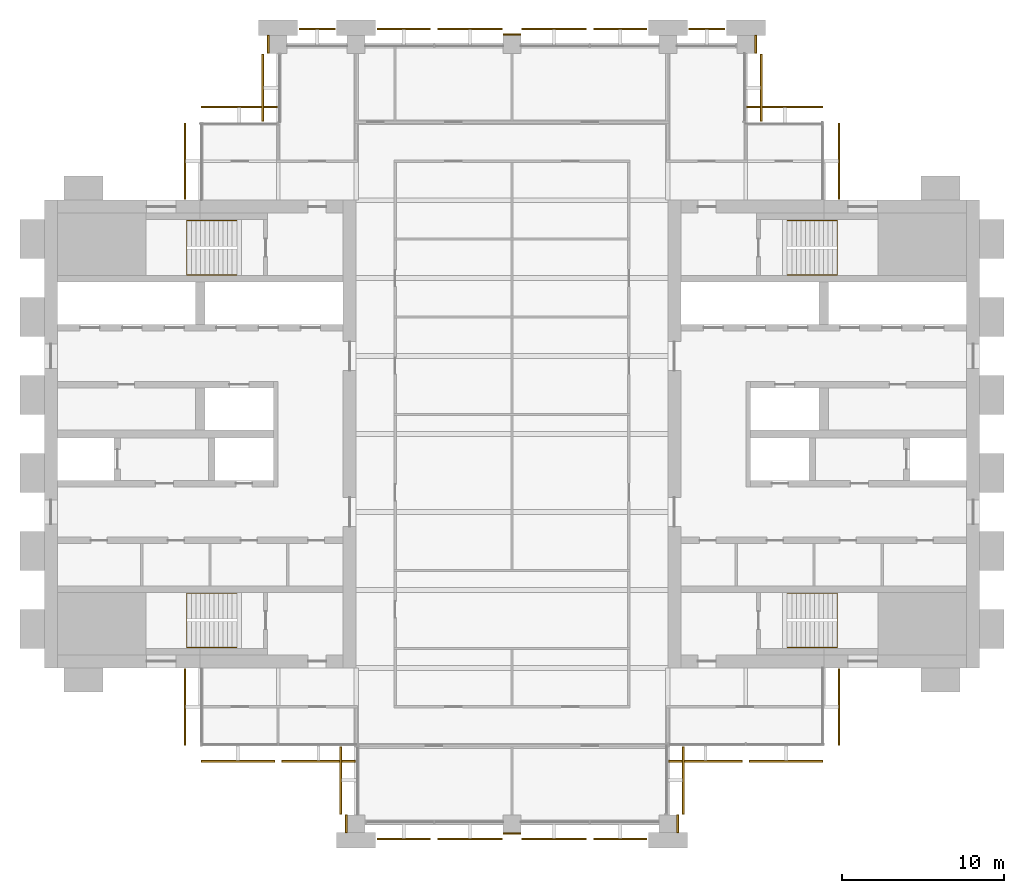
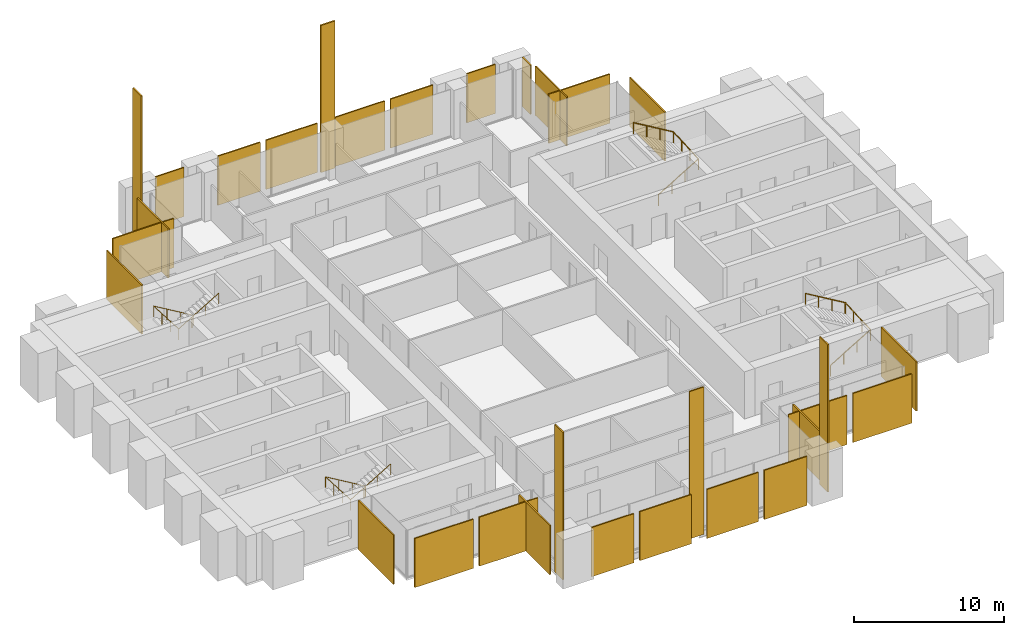
# One storey, part 13 of 13: 30 coverings, 4 railings.
"""IFC4 building model written with IfcOpenShell, lengths in metres."""

from ifc_helpers import new_model, si_unit, direction, frame, origin, origin_2d, place, context, subcontext, project, spatial, polyline, rectangle, circle, outline, extrude, material, layer, layer_set, type_object, element, save


model = new_model("IFC4")

# Units and contexts
model_context = context("Model", 3, precision=1e-05, world=origin(), true_north=direction((0.0, 1.0)))
body_context = subcontext(model_context, "Body", "Model", "MODEL_VIEW")
ifc_project = project(units=[si_unit("LENGTHUNIT", "METRE"), si_unit("AREAUNIT", "SQUARE_METRE"), si_unit("VOLUMEUNIT", "CUBIC_METRE"), si_unit("PLANEANGLEUNIT", "RADIAN"), si_unit("MASSUNIT", "GRAM", prefix="KILO")], contexts=[model_context])

# Site, building, storey
site_placement = place(None, origin())
site = spatial("IfcSite", under=ifc_project, at=site_placement, CompositionType="ELEMENT")
building_placement = place(site_placement, origin())
building = spatial("IfcBuilding", under=site, at=building_placement, Name="Baori Bourse Tower", CompositionType="ELEMENT")
storey_placement = place(building_placement, frame((0.0, 0.0, 201.199951171875)))
storey = spatial("IfcBuildingStorey", under=building, at=storey_placement, Name="L43", CompositionType="ELEMENT", Elevation=201.199951171875)

# Railings
ifc_material_1 = material(Name="Powder-coated steel balustrade", Category="steel")
railing_type = type_object("IfcRailingType", Name="Core stair handrail", PredefinedType="HANDRAIL", material=ifc_material_1)
railing_1_placement = place(storey_placement, frame((11.85009765625, 14.199951171875, 0.166748046875)))
element("IfcRailing", 1, at=railing_1_placement, inside=storey, type_object=railing_type, Name="L43 ST1 stair handrail 1", PredefinedType="HANDRAIL", context=body_context, shape_type="SweptSolid", body=[
    extrude(circle(Radius=0.02392578125, at=origin_2d()), frame((0.0, 0.0, 0.8759765625), z_axis=(-0.859308565015, 0.0, 0.511457515432), x_axis=(0.0, -1.0, 0.0)), (0.0, 0.0, 1.0), 3.58447265625),
    extrude(circle(Radius=0.02392578125, at=origin_2d()), frame((-3.080078125, 0.0, 2.708984375), z_axis=(0.0, -0.998763387249, 0.04971615724), x_axis=(1.0, 0.0, 0.0)), (0.0, 0.0, 1.0), 3.35400390625),
    extrude(circle(Radius=0.02392578125, at=origin_2d()), frame((-3.080078125, -3.349853515625, 2.8759765625), z_axis=(0.859308565015, 0.0, 0.511457515432), x_axis=(0.0, 1.0, 0.0)), (0.0, 0.0, 1.0), 3.58447265625),
    extrude(circle(Radius=0.02099609375, at=origin_2d()), origin(), (0.0, 0.0, 1.0), 0.851806640625),
    extrude(circle(Radius=0.02099609375, at=origin_2d()), frame((-1.026611328125, 0.0, 0.611083984375)), (0.0, 0.0, 1.0), 0.851806640625),
    extrude(circle(Radius=0.02099609375, at=origin_2d()), frame((-2.053466796875, 0.0, 1.22216796875)), (0.0, 0.0, 1.0), 0.851806640625),
    extrude(circle(Radius=0.02099609375, at=origin_2d()), frame((-3.080078125, 0.0, 1.833251953125)), (0.0, 0.0, 1.0), 0.851806640625),
    extrude(circle(Radius=0.02099609375, at=origin_2d()), frame((-3.080078125, -1.11669921875, 1.888916015625)), (0.0, 0.0, 1.0), 0.851806640625),
    extrude(circle(Radius=0.02099609375, at=origin_2d()), frame((-3.080078125, -2.233154296875, 1.9443359375)), (0.0, 0.0, 1.0), 0.851806640625),
    extrude(circle(Radius=0.02099609375, at=origin_2d()), frame((-3.080078125, -3.349853515625, 2.0)), (0.0, 0.0, 1.0), 0.851806640625),
    extrude(circle(Radius=0.02099609375, at=origin_2d()), frame((-2.053466796875, -3.349853515625, 2.611083984375)), (0.0, 0.0, 1.0), 0.851806640625),
    extrude(circle(Radius=0.02099609375, at=origin_2d()), frame((-1.026611328125, -3.349853515625, 3.22216796875)), (0.0, 0.0, 1.0), 0.851806640625),
    extrude(circle(Radius=0.02099609375, at=origin_2d()), frame((0.0, -3.349853515625, 3.833251953125)), (0.0, 0.0, 1.0), 0.851806640625),
])
railing_2_placement = place(storey_placement, frame((11.85009765625, 37.14990234375, 0.166748046875)))
element("IfcRailing", 2, at=railing_2_placement, inside=storey, type_object=railing_type, Name="L43 ST2 stair handrail 1", PredefinedType="HANDRAIL", context=body_context, shape_type="SweptSolid", body=[
    extrude(circle(Radius=0.02392578125, at=origin_2d()), frame((0.0, 0.0, 0.8759765625), z_axis=(-0.859308565015, 0.0, 0.511457515432), x_axis=(0.0, -1.0, 0.0)), (0.0, 0.0, 1.0), 3.58447265625),
    extrude(circle(Radius=0.02392578125, at=origin_2d()), frame((-3.080078125, 0.0, 2.708984375), z_axis=(0.0, -0.998763387249, 0.04971615724), x_axis=(1.0, 0.0, 0.0)), (0.0, 0.0, 1.0), 3.35400390625),
    extrude(circle(Radius=0.02392578125, at=origin_2d()), frame((-3.080078125, -3.349853515625, 2.8759765625), z_axis=(0.859308565015, 0.0, 0.511457515432), x_axis=(0.0, 1.0, 0.0)), (0.0, 0.0, 1.0), 3.58447265625),
    extrude(circle(Radius=0.02099609375, at=origin_2d()), origin(), (0.0, 0.0, 1.0), 0.851806640625),
    extrude(circle(Radius=0.02099609375, at=origin_2d()), frame((-1.026611328125, 0.0, 0.611083984375)), (0.0, 0.0, 1.0), 0.851806640625),
    extrude(circle(Radius=0.02099609375, at=origin_2d()), frame((-2.053466796875, 0.0, 1.22216796875)), (0.0, 0.0, 1.0), 0.851806640625),
    extrude(circle(Radius=0.02099609375, at=origin_2d()), frame((-3.080078125, 0.0, 1.833251953125)), (0.0, 0.0, 1.0), 0.851806640625),
    extrude(circle(Radius=0.02099609375, at=origin_2d()), frame((-3.080078125, -1.11669921875, 1.888916015625)), (0.0, 0.0, 1.0), 0.851806640625),
    extrude(circle(Radius=0.02099609375, at=origin_2d()), frame((-3.080078125, -2.233154296875, 1.9443359375)), (0.0, 0.0, 1.0), 0.851806640625),
    extrude(circle(Radius=0.02099609375, at=origin_2d()), frame((-3.080078125, -3.349853515625, 2.0)), (0.0, 0.0, 1.0), 0.851806640625),
    extrude(circle(Radius=0.02099609375, at=origin_2d()), frame((-2.053466796875, -3.349853515625, 2.611083984375)), (0.0, 0.0, 1.0), 0.851806640625),
    extrude(circle(Radius=0.02099609375, at=origin_2d()), frame((-1.026611328125, -3.349853515625, 3.22216796875)), (0.0, 0.0, 1.0), 0.851806640625),
    extrude(circle(Radius=0.02099609375, at=origin_2d()), frame((0.0, -3.349853515625, 3.833251953125)), (0.0, 0.0, 1.0), 0.851806640625),
])
railing_3_placement = place(storey_placement, frame((45.75, 10.85009765625, 0.166748046875)))
element("IfcRailing", 3, at=railing_3_placement, inside=storey, type_object=railing_type, Name="L43 ST3 stair handrail 1", PredefinedType="HANDRAIL", context=body_context, shape_type="SweptSolid", body=[
    extrude(circle(Radius=0.02392578125, at=origin_2d()), frame((0.0, 0.0, 0.8759765625), z_axis=(0.859308565015, 0.0, 0.511457515432), x_axis=(0.0, 1.0, 0.0)), (0.0, 0.0, 1.0), 3.58447265625),
    extrude(circle(Radius=0.02392578125, at=origin_2d()), frame((3.080078125, 0.0, 2.708984375), z_axis=(0.0, 0.998763387249, 0.04971615724), x_axis=(-1.0, 0.0, 0.0)), (0.0, 0.0, 1.0), 3.35400390625),
    extrude(circle(Radius=0.02392578125, at=origin_2d()), frame((3.080078125, 3.349853515625, 2.8759765625), z_axis=(-0.859308565015, 0.0, 0.511457515432), x_axis=(0.0, -1.0, 0.0)), (0.0, 0.0, 1.0), 3.58447265625),
    extrude(circle(Radius=0.02099609375, at=origin_2d()), origin(), (0.0, 0.0, 1.0), 0.851806640625),
    extrude(circle(Radius=0.02099609375, at=origin_2d()), frame((1.026611328125, 0.0, 0.611083984375)), (0.0, 0.0, 1.0), 0.851806640625),
    extrude(circle(Radius=0.02099609375, at=origin_2d()), frame((2.053466796875, 0.0, 1.22216796875)), (0.0, 0.0, 1.0), 0.851806640625),
    extrude(circle(Radius=0.02099609375, at=origin_2d()), frame((3.080078125, 0.0, 1.833251953125)), (0.0, 0.0, 1.0), 0.851806640625),
    extrude(circle(Radius=0.02099609375, at=origin_2d()), frame((3.080078125, 1.11669921875, 1.888916015625)), (0.0, 0.0, 1.0), 0.851806640625),
    extrude(circle(Radius=0.02099609375, at=origin_2d()), frame((3.080078125, 2.233154296875, 1.9443359375)), (0.0, 0.0, 1.0), 0.851806640625),
    extrude(circle(Radius=0.02099609375, at=origin_2d()), frame((3.080078125, 3.349853515625, 2.0)), (0.0, 0.0, 1.0), 0.851806640625),
    extrude(circle(Radius=0.02099609375, at=origin_2d()), frame((2.053466796875, 3.349853515625, 2.611083984375)), (0.0, 0.0, 1.0), 0.851806640625),
    extrude(circle(Radius=0.02099609375, at=origin_2d()), frame((1.026611328125, 3.349853515625, 3.22216796875)), (0.0, 0.0, 1.0), 0.851806640625),
    extrude(circle(Radius=0.02099609375, at=origin_2d()), frame((0.0, 3.349853515625, 3.833251953125)), (0.0, 0.0, 1.0), 0.851806640625),
])
railing_4_placement = place(storey_placement, frame((45.75, 33.800048828125, 0.166748046875)))
element("IfcRailing", 4, at=railing_4_placement, inside=storey, type_object=railing_type, Name="L43 ST4 stair handrail 1", PredefinedType="HANDRAIL", context=body_context, shape_type="SweptSolid", body=[
    extrude(circle(Radius=0.02392578125, at=origin_2d()), frame((0.0, 0.0, 0.8759765625), z_axis=(0.859308565015, 0.0, 0.511457515432), x_axis=(0.0, 1.0, 0.0)), (0.0, 0.0, 1.0), 3.58447265625),
    extrude(circle(Radius=0.02392578125, at=origin_2d()), frame((3.080078125, 0.0, 2.708984375), z_axis=(0.0, 0.998763387249, 0.04971615724), x_axis=(-1.0, 0.0, 0.0)), (0.0, 0.0, 1.0), 3.35400390625),
    extrude(circle(Radius=0.02392578125, at=origin_2d()), frame((3.080078125, 3.349853515625, 2.8759765625), z_axis=(-0.859308565015, 0.0, 0.511457515432), x_axis=(0.0, -1.0, 0.0)), (0.0, 0.0, 1.0), 3.58447265625),
    extrude(circle(Radius=0.02099609375, at=origin_2d()), origin(), (0.0, 0.0, 1.0), 0.851806640625),
    extrude(circle(Radius=0.02099609375, at=origin_2d()), frame((1.026611328125, 0.0, 0.611083984375)), (0.0, 0.0, 1.0), 0.851806640625),
    extrude(circle(Radius=0.02099609375, at=origin_2d()), frame((2.053466796875, 0.0, 1.22216796875)), (0.0, 0.0, 1.0), 0.851806640625),
    extrude(circle(Radius=0.02099609375, at=origin_2d()), frame((3.080078125, 0.0, 1.833251953125)), (0.0, 0.0, 1.0), 0.851806640625),
    extrude(circle(Radius=0.02099609375, at=origin_2d()), frame((3.080078125, 1.11669921875, 1.888916015625)), (0.0, 0.0, 1.0), 0.851806640625),
    extrude(circle(Radius=0.02099609375, at=origin_2d()), frame((3.080078125, 2.233154296875, 1.9443359375)), (0.0, 0.0, 1.0), 0.851806640625),
    extrude(circle(Radius=0.02099609375, at=origin_2d()), frame((3.080078125, 3.349853515625, 2.0)), (0.0, 0.0, 1.0), 0.851806640625),
    extrude(circle(Radius=0.02099609375, at=origin_2d()), frame((2.053466796875, 3.349853515625, 2.611083984375)), (0.0, 0.0, 1.0), 0.851806640625),
    extrude(circle(Radius=0.02099609375, at=origin_2d()), frame((1.026611328125, 3.349853515625, 3.22216796875)), (0.0, 0.0, 1.0), 0.851806640625),
    extrude(circle(Radius=0.02099609375, at=origin_2d()), frame((0.0, 3.349853515625, 3.833251953125)), (0.0, 0.0, 1.0), 0.851806640625),
])

# Coverings
ifc_material_2 = material(Name="Pale anodised aluminium", Category="aluminium")
ifc_layer_1 = layer(ifc_material_2, 0.10009765625)
ifc_layer_set_1 = layer_set([ifc_layer_1], Name="OS3 Outer skin screen panel")
covering_type_1 = type_object("IfcCoveringType", Name="OS3 Outer skin screen panel", PredefinedType="CLADDING", material=ifc_layer_set_1)
covering_1_placement = place(storey_placement, frame((0.0, 0.0, -0.159912109375)))
element("IfcCovering", 5, at=covering_1_placement, inside=storey, type_object=covering_type_1, Name="Outer skin screen L43 1", PredefinedType="CLADDING", context=body_context, shape_type="SweptSolid", body=[
    extrude(outline(polyline([(48.89990234375, 43.14990234375), (48.89990234375, 38.449951171875), (49.0, 38.449951171875), (49.0, 43.14990234375), (48.89990234375, 43.14990234375)])), origin(), (0.0, 0.0, 1.0), 4.0),
])
covering_2_placement = place(storey_placement, frame((0.0, 0.0, -0.159912109375)))
element("IfcCovering", 6, at=covering_2_placement, inside=storey, type_object=covering_type_1, Name="Outer skin screen L43 2", PredefinedType="CLADDING", context=body_context, shape_type="SweptSolid", body=[
    extrude(outline(polyline([(43.25, 44.10009765625), (47.949951171875, 44.10009765625), (47.949951171875, 44.199951171875), (43.25, 44.199951171875), (43.25, 44.10009765625)])), origin(), (0.0, 0.0, 1.0), 4.0),
])
covering_3_placement = place(storey_placement, frame((0.0, 0.0, -0.159912109375)))
element("IfcCovering", 7, at=covering_3_placement, inside=storey, type_object=covering_type_1, Name="Outer skin screen L43 3", PredefinedType="CLADDING", context=body_context, shape_type="SweptSolid", body=[
    extrude(outline(polyline([(44.10009765625, 47.39990234375), (44.10009765625, 43.25), (44.199951171875, 43.25), (44.199951171875, 47.39990234375), (44.10009765625, 47.39990234375)])), origin(), (0.0, 0.0, 1.0), 4.0),
])
covering_4_placement = place(storey_placement, frame((0.0, 0.0, -0.159912109375)))
element("IfcCovering", 8, at=covering_4_placement, inside=storey, type_object=covering_type_1, Name="Outer skin screen L43 4", PredefinedType="CLADDING", context=body_context, shape_type="SweptSolid", body=[
    extrude(outline(polyline([(39.699951171875, 48.89990234375), (41.89990234375, 48.89990234375), (41.89990234375, 49.0), (39.699951171875, 49.0), (39.699951171875, 48.89990234375)])), origin(), (0.0, 0.0, 1.0), 4.0),
])
covering_5_placement = place(storey_placement, frame((0.0, 0.0, -0.159912109375)))
element("IfcCovering", 9, at=covering_5_placement, inside=storey, type_object=covering_type_1, Name="Outer skin screen L43 5", PredefinedType="CLADDING", context=body_context, shape_type="SweptSolid", body=[
    extrude(outline(polyline([(33.824951171875, 48.89990234375), (37.10009765625, 48.89990234375), (37.10009765625, 49.0), (33.824951171875, 49.0), (33.824951171875, 48.89990234375)])), origin(), (0.0, 0.0, 1.0), 4.0),
])
covering_6_placement = place(storey_placement, frame((0.0, 0.0, -0.159912109375)))
element("IfcCovering", 10, at=covering_6_placement, inside=storey, type_object=covering_type_1, Name="Outer skin screen L43 6", PredefinedType="CLADDING", context=body_context, shape_type="SweptSolid", body=[
    extrude(outline(polyline([(29.39990234375, 48.89990234375), (33.375, 48.89990234375), (33.375, 49.0), (29.39990234375, 49.0), (29.39990234375, 48.89990234375)])), origin(), (0.0, 0.0, 1.0), 4.0),
])
covering_7_placement = place(storey_placement, frame((0.0, 0.0, -0.159912109375)))
element("IfcCovering", 11, at=covering_7_placement, inside=storey, type_object=covering_type_1, Name="Outer skin screen L43 7", PredefinedType="CLADDING", context=body_context, shape_type="SweptSolid", body=[
    extrude(outline(polyline([(24.22509765625, 48.89990234375), (28.199951171875, 48.89990234375), (28.199951171875, 49.0), (24.22509765625, 49.0), (24.22509765625, 48.89990234375)])), origin(), (0.0, 0.0, 1.0), 4.0),
])
covering_8_placement = place(storey_placement, frame((0.0, 0.0, -0.159912109375)))
element("IfcCovering", 12, at=covering_8_placement, inside=storey, type_object=covering_type_1, Name="Outer skin screen L43 8", PredefinedType="CLADDING", context=body_context, shape_type="SweptSolid", body=[
    extrude(outline(polyline([(20.5, 48.89990234375), (23.77490234375, 48.89990234375), (23.77490234375, 49.0), (20.5, 49.0), (20.5, 48.89990234375)])), origin(), (0.0, 0.0, 1.0), 4.0),
])
covering_9_placement = place(storey_placement, frame((0.0, 0.0, -0.159912109375)))
element("IfcCovering", 13, at=covering_9_placement, inside=storey, type_object=covering_type_1, Name="Outer skin screen L43 9", PredefinedType="CLADDING", context=body_context, shape_type="SweptSolid", body=[
    extrude(outline(polyline([(15.699951171875, 48.89990234375), (17.89990234375, 48.89990234375), (17.89990234375, 49.0), (15.699951171875, 49.0), (15.699951171875, 48.89990234375)])), origin(), (0.0, 0.0, 1.0), 4.0),
])
covering_10_placement = place(storey_placement, frame((0.0, 0.0, -0.159912109375)))
element("IfcCovering", 14, at=covering_10_placement, inside=storey, type_object=covering_type_1, Name="Outer skin screen L43 10", PredefinedType="CLADDING", context=body_context, shape_type="SweptSolid", body=[
    extrude(outline(polyline([(13.5, 43.25), (13.5, 47.39990234375), (13.39990234375, 47.39990234375), (13.39990234375, 43.25), (13.5, 43.25)])), origin(), (0.0, 0.0, 1.0), 4.0),
])
covering_11_placement = place(storey_placement, frame((0.0, 0.0, -0.159912109375)))
element("IfcCovering", 15, at=covering_11_placement, inside=storey, type_object=covering_type_1, Name="Outer skin screen L43 11", PredefinedType="CLADDING", context=body_context, shape_type="SweptSolid", body=[
    extrude(outline(polyline([(9.64990234375, 44.10009765625), (14.35009765625, 44.10009765625), (14.35009765625, 44.199951171875), (9.64990234375, 44.199951171875), (9.64990234375, 44.10009765625)])), origin(), (0.0, 0.0, 1.0), 4.0),
])
covering_12_placement = place(storey_placement, frame((0.0, 0.0, -0.159912109375)))
element("IfcCovering", 16, at=covering_12_placement, inside=storey, type_object=covering_type_1, Name="Outer skin screen L43 12", PredefinedType="CLADDING", context=body_context, shape_type="SweptSolid", body=[
    extrude(outline(polyline([(8.699951171875, 38.449951171875), (8.699951171875, 43.14990234375), (8.60009765625, 43.14990234375), (8.60009765625, 38.449951171875), (8.699951171875, 38.449951171875)])), origin(), (0.0, 0.0, 1.0), 4.0),
])
covering_13_placement = place(storey_placement, frame((0.0, 0.0, -0.159912109375)))
element("IfcCovering", 17, at=covering_13_placement, inside=storey, type_object=covering_type_1, Name="Outer skin screen L43 13", PredefinedType="CLADDING", context=body_context, shape_type="SweptSolid", body=[
    extrude(outline(polyline([(8.699951171875, 4.85009765625), (8.699951171875, 9.550048828125), (8.60009765625, 9.550048828125), (8.60009765625, 4.85009765625), (8.699951171875, 4.85009765625)])), origin(), (0.0, 0.0, 1.0), 4.0),
])
covering_14_placement = place(storey_placement, frame((0.0, 0.0, -0.159912109375)))
element("IfcCovering", 18, at=covering_14_placement, inside=storey, type_object=covering_type_1, Name="Outer skin screen L43 14", PredefinedType="CLADDING", context=body_context, shape_type="SweptSolid", body=[
    extrude(outline(polyline([(14.175048828125, 3.89990234375), (9.64990234375, 3.89990234375), (9.64990234375, 3.800048828125), (14.175048828125, 3.800048828125), (14.175048828125, 3.89990234375)])), origin(), (0.0, 0.0, 1.0), 4.0),
])
covering_15_placement = place(storey_placement, frame((0.0, 0.0, -0.159912109375)))
element("IfcCovering", 19, at=covering_15_placement, inside=storey, type_object=covering_type_1, Name="Outer skin screen L43 15", PredefinedType="CLADDING", context=body_context, shape_type="SweptSolid", body=[
    extrude(outline(polyline([(19.14990234375, 3.89990234375), (14.625, 3.89990234375), (14.625, 3.800048828125), (19.14990234375, 3.800048828125), (19.14990234375, 3.89990234375)])), origin(), (0.0, 0.0, 1.0), 4.0),
])
covering_16_placement = place(storey_placement, frame((0.0, 0.0, -0.159912109375)))
element("IfcCovering", 20, at=covering_16_placement, inside=storey, type_object=covering_type_1, Name="Outer skin screen L43 16", PredefinedType="CLADDING", context=body_context, shape_type="SweptSolid", body=[
    extrude(outline(polyline([(18.300048828125, 0.60009765625), (18.300048828125, 4.75), (18.199951171875, 4.75), (18.199951171875, 0.60009765625), (18.300048828125, 0.60009765625)])), origin(), (0.0, 0.0, 1.0), 4.0),
])
covering_17_placement = place(storey_placement, frame((0.0, 0.0, -0.159912109375)))
element("IfcCovering", 21, at=covering_17_placement, inside=storey, type_object=covering_type_1, Name="Outer skin screen L43 17", PredefinedType="CLADDING", context=body_context, shape_type="SweptSolid", body=[
    extrude(outline(polyline([(23.77490234375, -0.89990234375), (20.5, -0.89990234375), (20.5, -1.0), (23.77490234375, -1.0), (23.77490234375, -0.89990234375)])), origin(), (0.0, 0.0, 1.0), 4.0),
])
covering_18_placement = place(storey_placement, frame((0.0, 0.0, -0.159912109375)))
element("IfcCovering", 22, at=covering_18_placement, inside=storey, type_object=covering_type_1, Name="Outer skin screen L43 18", PredefinedType="CLADDING", context=body_context, shape_type="SweptSolid", body=[
    extrude(outline(polyline([(28.199951171875, -0.89990234375), (24.22509765625, -0.89990234375), (24.22509765625, -1.0), (28.199951171875, -1.0), (28.199951171875, -0.89990234375)])), origin(), (0.0, 0.0, 1.0), 4.0),
])
covering_19_placement = place(storey_placement, frame((0.0, 0.0, -0.159912109375)))
element("IfcCovering", 23, at=covering_19_placement, inside=storey, type_object=covering_type_1, Name="Outer skin screen L43 19", PredefinedType="CLADDING", context=body_context, shape_type="SweptSolid", body=[
    extrude(outline(polyline([(33.375, -0.89990234375), (29.39990234375, -0.89990234375), (29.39990234375, -1.0), (33.375, -1.0), (33.375, -0.89990234375)])), origin(), (0.0, 0.0, 1.0), 4.0),
])
covering_20_placement = place(storey_placement, frame((0.0, 0.0, -0.159912109375)))
element("IfcCovering", 24, at=covering_20_placement, inside=storey, type_object=covering_type_1, Name="Outer skin screen L43 20", PredefinedType="CLADDING", context=body_context, shape_type="SweptSolid", body=[
    extrude(outline(polyline([(37.10009765625, -0.89990234375), (33.824951171875, -0.89990234375), (33.824951171875, -1.0), (37.10009765625, -1.0), (37.10009765625, -0.89990234375)])), origin(), (0.0, 0.0, 1.0), 4.0),
])
covering_21_placement = place(storey_placement, frame((0.0, 0.0, -0.159912109375)))
element("IfcCovering", 25, at=covering_21_placement, inside=storey, type_object=covering_type_1, Name="Outer skin screen L43 21", PredefinedType="CLADDING", context=body_context, shape_type="SweptSolid", body=[
    extrude(outline(polyline([(39.300048828125, 4.75), (39.300048828125, 0.60009765625), (39.39990234375, 0.60009765625), (39.39990234375, 4.75), (39.300048828125, 4.75)])), origin(), (0.0, 0.0, 1.0), 4.0),
])
covering_22_placement = place(storey_placement, frame((0.0, 0.0, -0.159912109375)))
element("IfcCovering", 26, at=covering_22_placement, inside=storey, type_object=covering_type_1, Name="Outer skin screen L43 22", PredefinedType="CLADDING", context=body_context, shape_type="SweptSolid", body=[
    extrude(outline(polyline([(42.97509765625, 3.89990234375), (38.449951171875, 3.89990234375), (38.449951171875, 3.800048828125), (42.97509765625, 3.800048828125), (42.97509765625, 3.89990234375)])), origin(), (0.0, 0.0, 1.0), 4.0),
])
covering_23_placement = place(storey_placement, frame((0.0, 0.0, -0.159912109375)))
element("IfcCovering", 27, at=covering_23_placement, inside=storey, type_object=covering_type_1, Name="Outer skin screen L43 23", PredefinedType="CLADDING", context=body_context, shape_type="SweptSolid", body=[
    extrude(outline(polyline([(47.949951171875, 3.89990234375), (43.425048828125, 3.89990234375), (43.425048828125, 3.800048828125), (47.949951171875, 3.800048828125), (47.949951171875, 3.89990234375)])), origin(), (0.0, 0.0, 1.0), 4.0),
])
covering_24_placement = place(storey_placement, frame((0.0, 0.0, -0.159912109375)))
element("IfcCovering", 28, at=covering_24_placement, inside=storey, type_object=covering_type_1, Name="Outer skin screen L43 24", PredefinedType="CLADDING", context=body_context, shape_type="SweptSolid", body=[
    extrude(outline(polyline([(48.89990234375, 9.550048828125), (48.89990234375, 4.85009765625), (49.0, 4.85009765625), (49.0, 9.550048828125), (48.89990234375, 9.550048828125)])), origin(), (0.0, 0.0, 1.0), 4.0),
])
ifc_material_3 = material(Name="Face brick", Category="masonry")
ifc_layer_2 = layer(ifc_material_3, 0.110107421875)
ifc_layer_set_2 = layer_set([ifc_layer_2], Name="PC1 Brick pier facing")
covering_type_2 = type_object("IfcCoveringType", Name="PC1 Brick pier facing", PredefinedType="CLADDING", material=ifc_layer_set_2)
covering_25_placement = place(storey_placement, frame((18.594970703125, 0.0, 0.0), z_axis=(0.0, 0.0, 1.0), x_axis=(1.0, 0.0, 0.0)))
element("IfcCovering", 29, at=covering_25_placement, inside=storey, type_object=covering_type_2, Name="Brick pier facing L43 1", PredefinedType="CLADDING", context=body_context, shape_type="SweptSolid", body=[
    extrude(rectangle(XDim=0.110107421875, YDim=1.10009765625, at=origin_2d()), origin(), (0.0, 0.0, 1.0), 12.0),
])
covering_26_placement = place(storey_placement, frame((28.800048828125, -0.60498046875, 0.0), z_axis=(0.0, 0.0, 1.0), x_axis=(1.0, 0.0, 0.0)))
element("IfcCovering", 30, at=covering_26_placement, inside=storey, type_object=covering_type_2, Name="Brick pier facing L43 2", PredefinedType="CLADDING", context=body_context, shape_type="SweptSolid", body=[
    extrude(rectangle(XDim=1.10009765625, YDim=0.110107421875, at=origin_2d()), origin(), (0.0, 0.0, 1.0), 12.0),
])
for number, where, z_axis, x_axis, name in (
    (31, (39.0048828125, 0.0, 0.0), (0.0, 0.0, 1.0), (1.0, 0.0, 0.0), "Brick pier facing L43 3"),
    (32, (13.794921875, 48.0, 0.0), (0.0, 0.0, 1.0), (1.0, 0.0, 0.0), "Brick pier facing L43 4"),
):
    element("IfcCovering", number, at=place(storey_placement, frame(where, z_axis=z_axis, x_axis=x_axis)), inside=storey, type_object=covering_type_2, Name=name, PredefinedType="CLADDING", context=body_context, shape_type="SweptSolid", body=[
        extrude(rectangle(XDim=0.110107421875, YDim=1.10009765625, at=origin_2d()), origin(), (0.0, 0.0, 1.0), 12.0),
    ])
covering_27_placement = place(storey_placement, frame((28.800048828125, 48.60498046875, 0.0), z_axis=(0.0, 0.0, 1.0), x_axis=(1.0, 0.0, 0.0)))
element("IfcCovering", 33, at=covering_27_placement, inside=storey, type_object=covering_type_2, Name="Brick pier facing L43 5", PredefinedType="CLADDING", context=body_context, shape_type="SweptSolid", body=[
    extrude(rectangle(XDim=1.10009765625, YDim=0.110107421875, at=origin_2d()), origin(), (0.0, 0.0, 1.0), 12.0),
])
covering_28_placement = place(storey_placement, frame((43.804931640625, 48.0, 0.0), z_axis=(0.0, 0.0, 1.0), x_axis=(1.0, 0.0, 0.0)))
element("IfcCovering", 34, at=covering_28_placement, inside=storey, type_object=covering_type_2, Name="Brick pier facing L43 6", PredefinedType="CLADDING", context=body_context, shape_type="SweptSolid", body=[
    extrude(rectangle(XDim=0.110107421875, YDim=1.10009765625, at=origin_2d()), origin(), (0.0, 0.0, 1.0), 4.0),
])

save(model, "model.ifc")
